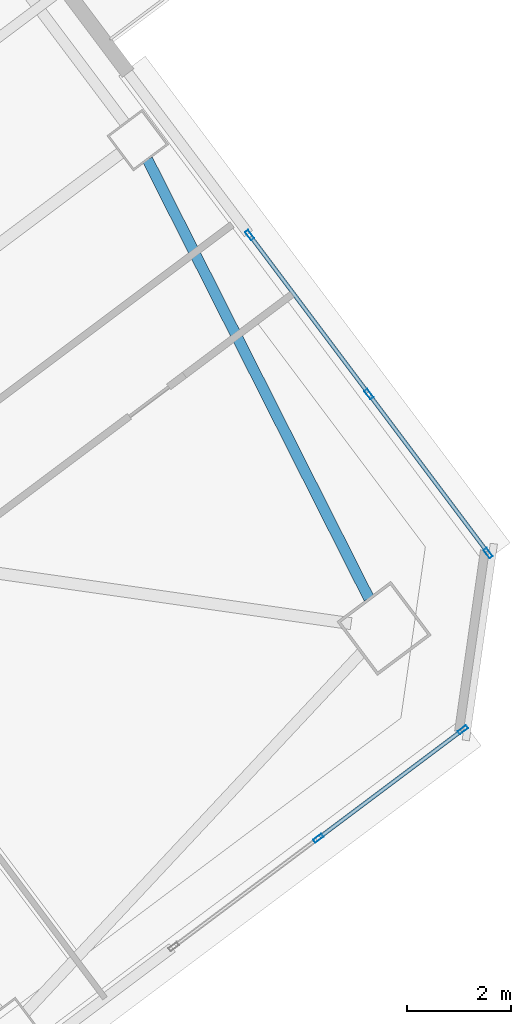
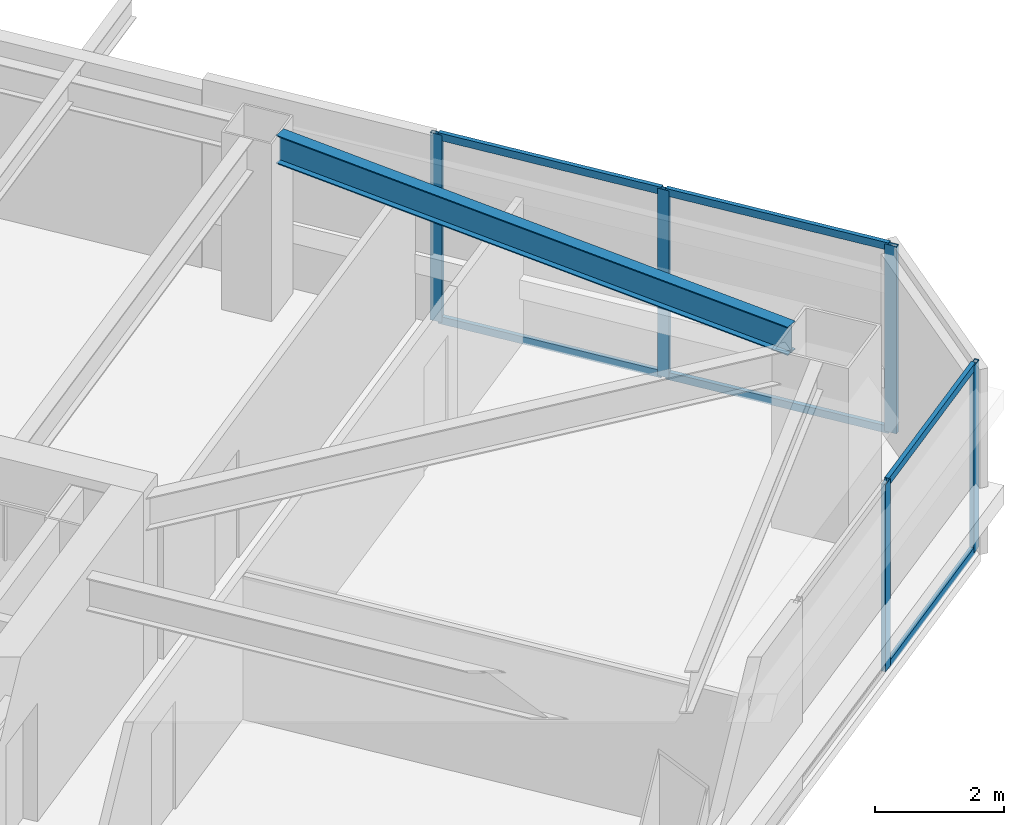
# One storey, part 26 of 44: 11 members, 1 beam, 2 elements without a shape of their own.
"""IFC4 building model written with IfcOpenShell, lengths in metres."""

from ifc_helpers import new_model, si_unit, direction, frame, origin, origin_2d, place, context, subcontext, project, spatial, hollow_rectangle, i_section, extrude, material, material_profile, profile_set, type_object, element, aggregate, save


model = new_model("IFC4")

# Units and contexts
model_context = context("Model", 3, precision=1e-05, world=origin(), true_north=direction((0.0, 1.0)))
body_context = subcontext(model_context, "Body", "Model", "MODEL_VIEW")
ifc_project = project(units=[si_unit("LENGTHUNIT", "METRE"), si_unit("AREAUNIT", "SQUARE_METRE"), si_unit("VOLUMEUNIT", "CUBIC_METRE"), si_unit("PLANEANGLEUNIT", "RADIAN"), si_unit("MASSUNIT", "GRAM", prefix="KILO")], contexts=[model_context])

# Site, building, storey
site_placement = place(None, origin())
site = spatial("IfcSite", under=ifc_project, at=site_placement, CompositionType="ELEMENT")
building_placement = place(site_placement, origin())
building = spatial("IfcBuilding", under=site, at=building_placement, Name="Tashvorn Skyway Center", CompositionType="ELEMENT")
storey_placement = place(building_placement, frame((0.0, 0.0, 128.60009765625)))
storey = spatial("IfcBuildingStorey", under=building, at=storey_placement, Name="L34", CompositionType="ELEMENT", Elevation=128.60009765625)

# Beam
ifc_material_1 = material(Name="Steel ASTM A992 Grade 50", Category="steel")
ifc_material_profile_1 = material_profile(ifc_material_1, i_section(OverallWidth=0.2109375, OverallDepth=0.5390625, WebThickness=0.01171875, FlangeThickness=0.018798828125, at=origin_2d()), Name="W21X73")
ifc_profile_set_1 = profile_set([ifc_material_profile_1], Name="Steel ASTM A992 Grade 50")
beam_type = type_object("IfcBeamType", Name="BM-SPANDREL-W21X73", PredefinedType="SPANDREL", material=ifc_profile_set_1)
beam_placement = place(storey_placement, frame((135.829345703125, 29.415771484375, 3.100341796875), z_axis=(-0.450613543136, 0.892719124217, 0.0), x_axis=(-0.892719124217, -0.450613543136, 0.0)))
element("IfcBeam", 1, at=beam_placement, inside=storey, type_object=beam_type, Name="Tower 2 L34 Spandrel Beam 04", PredefinedType="SPANDREL", context=body_context, shape_type="SweptSolid", body=[
    extrude(i_section(OverallWidth=0.2109375, OverallDepth=0.5390625, WebThickness=0.01171875, FlangeThickness=0.018798828125, at=origin_2d()), origin(), (0.0, 0.0, 1.0), 9.498291015625),
])

# Curtain wall, members
ifc_material_2 = material(Name="Thermally broken bronze-anodized aluminium 6063-T6", Category="aluminium")
curtain_wall_type = type_object("IfcCurtainWallType", Name="CW-CW-Z3", PredefinedType="NOTDEFINED", material=ifc_material_2)
curtain_wall_1_placement = place(storey_placement, origin())
curtain_wall_1 = element("IfcCurtainWall", 2, at=curtain_wall_1_placement, inside=storey, type_object=curtain_wall_type, Name="Tower 2 L34 South Unitised Curtain Wall Glazing Group 1", PredefinedType="NOTDEFINED")
ifc_material_profile_2 = material_profile(ifc_material_2, hollow_rectangle(XDim=0.074951171875, YDim=0.199951171875, WallThickness=0.00439453125, at=origin_2d()), Name="ALU-MULL-75x200")
ifc_profile_set_2 = profile_set([ifc_material_profile_2], Name="Thermally broken bronze-anodized aluminium 6063-T6")
member_type_1 = type_object("IfcMemberType", Name="CWM-CW-Z3", PredefinedType="MULLION", material=ifc_profile_set_2)
member_1_placement = place(storey_placement, frame((137.64208984375, 26.881591796875, 0.0), z_axis=(0.0, 0.0, 1.0), x_axis=(0.600004533995, -0.799996599484, 0.0)))
member_1 = element("IfcMember", 3, at=member_1_placement, type_object=member_type_1, Name="CW-Z3 mullion 1", PredefinedType="MULLION", context=body_context, shape_type="SweptSolid", body=[
    extrude(hollow_rectangle(XDim=0.074951171875, YDim=0.199951171875, WallThickness=0.00439453125, at=origin_2d()), origin(), (0.0, 0.0, 1.0), 3.5498046875),
])
member_2_placement = place(storey_placement, frame((134.848876953125, 24.78662109375, 0.0), z_axis=(0.0, 0.0, 1.0), x_axis=(0.600004533995, -0.799996599484, 0.0)))
member_2 = element("IfcMember", 4, at=member_2_placement, type_object=member_type_1, Name="CW-Z3 mullion 2", PredefinedType="MULLION", context=body_context, shape_type="SweptSolid", body=[
    extrude(hollow_rectangle(XDim=0.074951171875, YDim=0.199951171875, WallThickness=0.00439453125, at=origin_2d()), origin(), (0.0, 0.0, 1.0), 3.5498046875),
])

curtain_wall_2_placement = place(storey_placement, origin())
curtain_wall_2 = element("IfcCurtainWall", 5, at=curtain_wall_2_placement, inside=storey, type_object=curtain_wall_type, Name="Tower 2 L34 East Curtain Wall R Glazing Group 1", PredefinedType="NOTDEFINED")
member_3_placement = place(storey_placement, frame((133.5224609375, 36.436767578125, 0.0), z_axis=(0.0, 0.0, 1.0), x_axis=(0.800001547712, 0.599997936379, 0.0)))
member_3 = element("IfcMember", 6, at=member_3_placement, type_object=member_type_1, Name="CW-Z3 mullion 1", PredefinedType="MULLION", context=body_context, shape_type="SweptSolid", body=[
    extrude(hollow_rectangle(XDim=0.074951171875, YDim=0.199951171875, WallThickness=0.00439453125, at=origin_2d()), origin(), (0.0, 0.0, 1.0), 3.5498046875),
])
member_4_placement = place(storey_placement, frame((135.825927734375, 33.365234375, 0.0), z_axis=(0.0, 0.0, 1.0), x_axis=(0.800001547712, 0.599997936379, 0.0)))
member_4 = element("IfcMember", 7, at=member_4_placement, type_object=member_type_1, Name="CW-Z3 mullion 2", PredefinedType="MULLION", context=body_context, shape_type="SweptSolid", body=[
    extrude(hollow_rectangle(XDim=0.074951171875, YDim=0.199951171875, WallThickness=0.00439453125, at=origin_2d()), origin(), (0.0, 0.0, 1.0), 3.5498046875),
])
member_5_placement = place(storey_placement, frame((138.12939453125, 30.2939453125, 0.0), z_axis=(0.0, 0.0, 1.0), x_axis=(0.800001547712, 0.599997936379, 0.0)))
member_5 = element("IfcMember", 8, at=member_5_placement, type_object=member_type_1, Name="CW-Z3 mullion 3", PredefinedType="MULLION", context=body_context, shape_type="SweptSolid", body=[
    extrude(hollow_rectangle(XDim=0.074951171875, YDim=0.199951171875, WallThickness=0.00439453125, at=origin_2d()), origin(), (0.0, 0.0, 1.0), 3.5498046875),
])

# Member
ifc_material_profile_3 = material_profile(ifc_material_2, hollow_rectangle(XDim=0.074951171875, YDim=0.139892578125, WallThickness=0.004150390625, at=origin_2d()), Name="ALU-TRAN-75x140")
ifc_profile_set_3 = profile_set([ifc_material_profile_3], Name="Thermally broken bronze-anodized aluminium 6063-T6")
member_type_2 = type_object("IfcMemberType", Name="CWT-CW-Z3", PredefinedType="USERDEFINED", material=ifc_profile_set_3)
member_6_placement = place(storey_placement, frame((137.612060546875, 26.85888671875, 0.037353515625), z_axis=(-0.800008575267, -0.59998856614, 0.0), x_axis=(0.59998856614, -0.800008575267, 0.0)))
member_6 = element("IfcMember", 9, at=member_6_placement, type_object=member_type_2, Name="CW-Z3 transom 1.1", ObjectType="TRANSOM", PredefinedType="USERDEFINED", context=body_context, shape_type="SweptSolid", body=[
    extrude(hollow_rectangle(XDim=0.074951171875, YDim=0.139892578125, WallThickness=0.004150390625, at=origin_2d()), origin(), (0.0, 0.0, 1.0), 3.41650390625),
])

member_7_placement = place(storey_placement, frame((137.612060546875, 26.85888671875, 3.512451171875), z_axis=(-0.800008575267, -0.59998856614, 0.0), x_axis=(0.59998856614, -0.800008575267, 0.0)))
member_7 = element("IfcMember", 10, at=member_7_placement, type_object=member_type_2, Name="CW-Z3 transom 1.2", ObjectType="TRANSOM", PredefinedType="USERDEFINED", context=body_context, shape_type="SweptSolid", body=[
    extrude(hollow_rectangle(XDim=0.074951171875, YDim=0.139892578125, WallThickness=0.004150390625, at=origin_2d()), origin(), (0.0, 0.0, 1.0), 3.41650390625),
])

aggregate(curtain_wall_1, [member_1, member_2, member_6, member_7])

member_8_placement = place(storey_placement, frame((133.544921875, 36.40673828125, 0.037353515625), z_axis=(0.599989622872, -0.80000778274, 0.0), x_axis=(0.80000778274, 0.599989622872, 0.0)))
member_8 = element("IfcMember", 11, at=member_8_placement, type_object=member_type_2, Name="CW-Z3 transom 1.1", ObjectType="TRANSOM", PredefinedType="USERDEFINED", context=body_context, shape_type="SweptSolid", body=[
    extrude(hollow_rectangle(XDim=0.074951171875, YDim=0.139892578125, WallThickness=0.004150390625, at=origin_2d()), origin(), (0.0, 0.0, 1.0), 3.764404296875),
])

member_9_placement = place(storey_placement, frame((133.544921875, 36.40673828125, 3.512451171875), z_axis=(0.599989622872, -0.80000778274, 0.0), x_axis=(0.80000778274, 0.599989622872, 0.0)))
member_9 = element("IfcMember", 12, at=member_9_placement, type_object=member_type_2, Name="CW-Z3 transom 1.2", ObjectType="TRANSOM", PredefinedType="USERDEFINED", context=body_context, shape_type="SweptSolid", body=[
    extrude(hollow_rectangle(XDim=0.074951171875, YDim=0.139892578125, WallThickness=0.004150390625, at=origin_2d()), origin(), (0.0, 0.0, 1.0), 3.764404296875),
])

member_10_placement = place(storey_placement, frame((135.848388671875, 33.33544921875, 0.037353515625), z_axis=(0.599989622872, -0.80000778274, 0.0), x_axis=(0.80000778274, 0.599989622872, 0.0)))
member_10 = element("IfcMember", 13, at=member_10_placement, type_object=member_type_2, Name="CW-Z3 transom 2.1", ObjectType="TRANSOM", PredefinedType="USERDEFINED", context=body_context, shape_type="SweptSolid", body=[
    extrude(hollow_rectangle(XDim=0.074951171875, YDim=0.139892578125, WallThickness=0.004150390625, at=origin_2d()), origin(), (0.0, 0.0, 1.0), 3.764404296875),
])

member_11_placement = place(storey_placement, frame((135.848388671875, 33.33544921875, 3.512451171875), z_axis=(0.599989622872, -0.80000778274, 0.0), x_axis=(0.80000778274, 0.599989622872, 0.0)))
member_11 = element("IfcMember", 14, at=member_11_placement, type_object=member_type_2, Name="CW-Z3 transom 2.2", ObjectType="TRANSOM", PredefinedType="USERDEFINED", context=body_context, shape_type="SweptSolid", body=[
    extrude(hollow_rectangle(XDim=0.074951171875, YDim=0.139892578125, WallThickness=0.004150390625, at=origin_2d()), origin(), (0.0, 0.0, 1.0), 3.764404296875),
])

aggregate(curtain_wall_2, [member_3, member_4, member_5, member_8, member_9, member_10, member_11])

save(model, "model.ifc")
